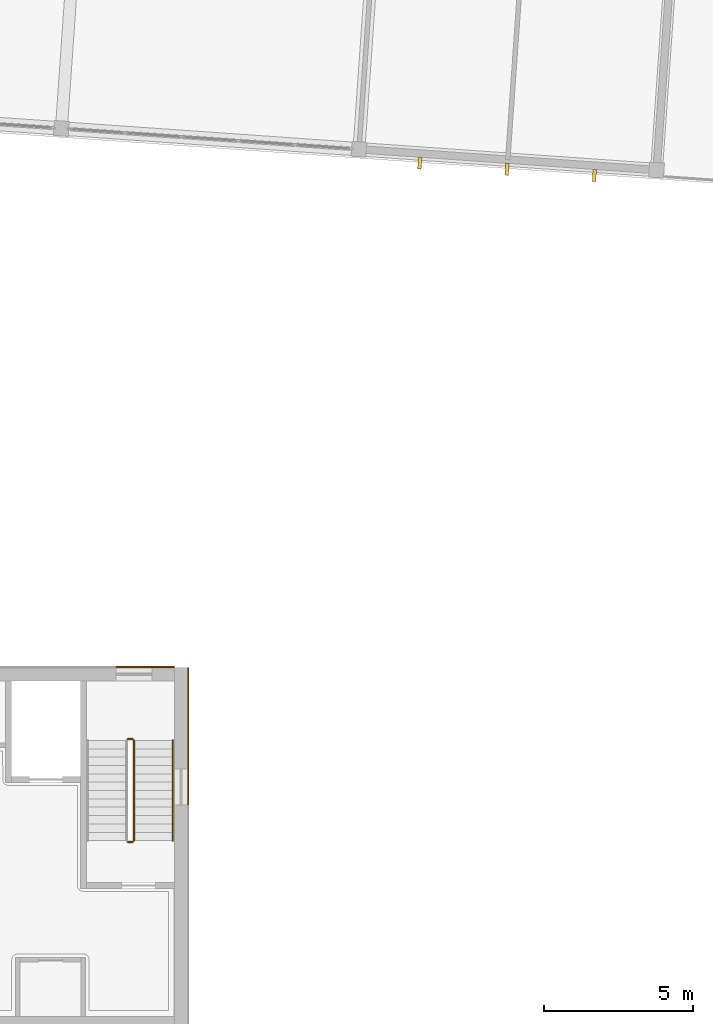
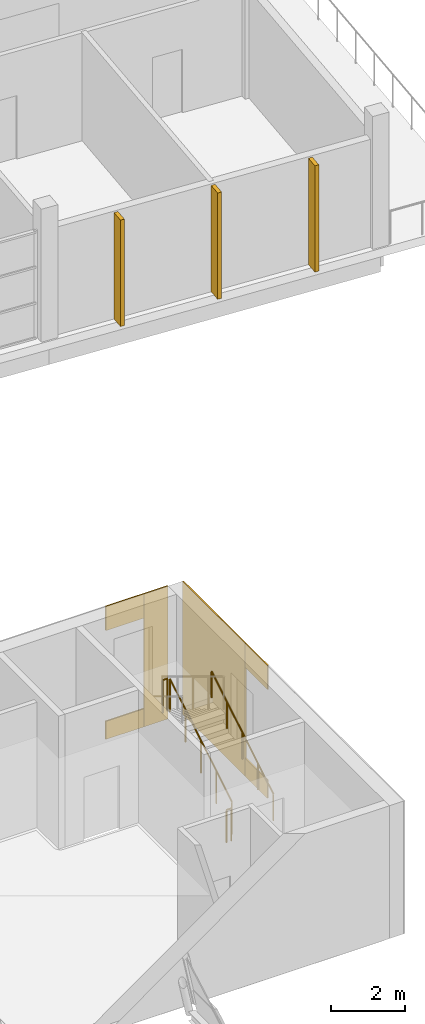
# One storey, part 48 of 50: 6 coverings, 4 railings, 3 shading devices.
"""IFC4 building model written with IfcOpenShell, lengths in metres."""

from ifc_helpers import new_model, si_unit, direction, frame, origin, origin_2d, place, context, subcontext, project, spatial, polyline, circle, outline, extrude, material, layer, layer_set, type_object, element, save


model = new_model("IFC4")

# Units and contexts
model_context = context("Model", 3, precision=1e-05, world=origin(), true_north=direction((0.0, 1.0)))
body_context = subcontext(model_context, "Body", "Model", "MODEL_VIEW")
ifc_project = project(units=[si_unit("LENGTHUNIT", "METRE"), si_unit("AREAUNIT", "SQUARE_METRE"), si_unit("VOLUMEUNIT", "CUBIC_METRE"), si_unit("PLANEANGLEUNIT", "RADIAN"), si_unit("MASSUNIT", "GRAM", prefix="KILO")], contexts=[model_context])

# Site, building, storey
site_placement = place(None, origin())
site = spatial("IfcSite", under=ifc_project, at=site_placement, CompositionType="ELEMENT")
building_placement = place(site_placement, origin())
building = spatial("IfcBuilding", under=site, at=building_placement, Name="Windward Yard Aquatics Centre", CompositionType="ELEMENT")
storey_placement = place(building_placement, frame((0.0, 0.0, 18.199951171875)))
storey = spatial("IfcBuildingStorey", under=building, at=storey_placement, Name="L04", CompositionType="ELEMENT", Elevation=18.199951171875)

# Railings
ifc_material_1 = material(Name="Stainless steel 1.4529", Category="steel")
railing_type_1 = type_object("IfcRailingType", Name="H Guard Steel 1100", PredefinedType="GUARDRAIL", material=ifc_material_1)
railing_1_placement = place(storey_placement, frame((150.199951171875, 90.199951171875, 0.169189453125)))
element("IfcRailing", 1, at=railing_1_placement, inside=storey, type_object=railing_type_1, Name="L04 ST4 stair guard 1", PredefinedType="GUARDRAIL", context=body_context, shape_type="SweptSolid", body=[
    extrude(circle(Radius=0.02392578125, at=origin_2d()), frame((0.0, 0.0, 1.076171875), z_axis=(0.0, 0.855836976705, 0.517245656632), x_axis=(-1.0, 0.0, 0.0)), (0.0, 0.0, 1.0), 3.926025390625),
    extrude(circle(Radius=0.02099609375, at=origin_2d()), origin(), (0.0, 0.0, 1.0), 1.052001953125),
    extrude(circle(Radius=0.02099609375, at=origin_2d()), frame((0.0, 0.840087890625, 0.5078125)), (0.0, 0.0, 1.0), 1.052001953125),
    extrude(circle(Radius=0.02099609375, at=origin_2d()), frame((0.0, 1.68017578125, 1.015380859375)), (0.0, 0.0, 1.0), 1.052001953125),
    extrude(circle(Radius=0.02099609375, at=origin_2d()), frame((0.0, 2.52001953125, 1.52294921875)), (0.0, 0.0, 1.0), 1.052001953125),
    extrude(circle(Radius=0.02099609375, at=origin_2d()), frame((0.0, 3.360107421875, 2.03076171875)), (0.0, 0.0, 1.0), 1.052001953125),
])
for number, where, name in (
    (2, (150.14990234375, 93.610107421875, 2.199951171875), "L04 ST4 stair guard 2"),
    (3, (150.14990234375, 90.14990234375, 0.0), "L04 ST4 stair guard 4"),
):
    element("IfcRailing", number, at=place(storey_placement, frame(where)), inside=storey, type_object=railing_type_1, Name=name, PredefinedType="GUARDRAIL", context=body_context, shape_type="SweptSolid", body=[
        extrude(circle(Radius=0.02392578125, at=origin_2d()), frame((0.0, 0.0, 1.076171875), z_axis=(-1.0, 0.0, 0.0), x_axis=(0.0, -1.0, 0.0)), (0.0, 0.0, 1.0), 0.14990234375),
        extrude(circle(Radius=0.02099609375, at=origin_2d()), origin(), (0.0, 0.0, 1.0), 1.052001953125),
        extrude(circle(Radius=0.02099609375, at=origin_2d()), frame((-0.14990234375, 0.0, 0.0)), (0.0, 0.0, 1.0), 1.052001953125),
    ])
railing_type_2 = type_object("IfcRailingType", Name="H Handrail Steel 900", PredefinedType="HANDRAIL", material=ifc_material_1)
railing_2_placement = place(storey_placement, frame((151.5, 90.199951171875, 0.169189453125)))
element("IfcRailing", 4, at=railing_2_placement, inside=storey, type_object=railing_type_2, Name="L04 ST4 stair handrail 1", PredefinedType="HANDRAIL", context=body_context, shape_type="SweptSolid", body=[
    extrude(circle(Radius=0.02392578125, at=origin_2d()), frame((0.0, 0.0, 0.8759765625), z_axis=(0.0, 0.855836976705, 0.517245656632), x_axis=(-1.0, 0.0, 0.0)), (0.0, 0.0, 1.0), 3.926025390625),
    extrude(circle(Radius=0.02099609375, at=origin_2d()), origin(), (0.0, 0.0, 1.0), 0.851806640625),
    extrude(circle(Radius=0.02099609375, at=origin_2d()), frame((0.0, 0.840087890625, 0.5078125)), (0.0, 0.0, 1.0), 0.851806640625),
    extrude(circle(Radius=0.02099609375, at=origin_2d()), frame((0.0, 1.68017578125, 1.015380859375)), (0.0, 0.0, 1.0), 0.851806640625),
    extrude(circle(Radius=0.02099609375, at=origin_2d()), frame((0.0, 2.52001953125, 1.52294921875)), (0.0, 0.0, 1.0), 0.851806640625),
    extrude(circle(Radius=0.02099609375, at=origin_2d()), frame((0.0, 3.360107421875, 2.03076171875)), (0.0, 0.0, 1.0), 0.851806640625),
])

# Coverings
ifc_material_2 = material(Name="Natural limestone cladding", Category="masonry")
ifc_layer = layer(ifc_material_2, 0.0400390625)
ifc_layer_set = layer_set([ifc_layer], Name="H natural stone cladding 40")
covering_type = type_object("IfcCoveringType", Name="H natural stone cladding 40", PredefinedType="CLADDING", material=ifc_layer_set)
covering_1_placement = place(storey_placement, origin())
element("IfcCovering", 5, at=covering_1_placement, inside=storey, type_object=covering_type, Name="Stone cladding panel 30", PredefinedType="CLADDING", context=body_context, shape_type="SweptSolid", body=[
    extrude(outline(polyline([(152.0, 92.60009765625), (152.0400390625, 92.60009765625), (152.0400390625, 96.0), (152.0, 96.0), (152.0, 92.60009765625)])), origin(), (0.0, 0.0, 1.0), 4.400146484375),
])
covering_2_placement = place(storey_placement, origin())
element("IfcCovering", 6, at=covering_2_placement, inside=storey, type_object=covering_type, Name="Stone cladding panel 31", PredefinedType="CLADDING", context=body_context, shape_type="SweptSolid", body=[
    extrude(outline(polyline([(152.0, 91.39990234375), (152.0400390625, 91.39990234375), (152.0400390625, 92.60009765625), (152.0, 92.60009765625), (152.0, 91.39990234375)])), origin(), (0.0, 0.0, 1.0), 0.60009765625),
])
covering_3_placement = place(storey_placement, frame((0.0, 0.0, 3.60009765625)))
element("IfcCovering", 7, at=covering_3_placement, inside=storey, type_object=covering_type, Name="Stone cladding panel 32", PredefinedType="CLADDING", context=body_context, shape_type="SweptSolid", body=[
    extrude(outline(polyline([(152.0, 91.39990234375), (152.0400390625, 91.39990234375), (152.0400390625, 92.60009765625), (152.0, 92.60009765625), (152.0, 91.39990234375)])), origin(), (0.0, 0.0, 1.0), 0.800048828125),
])
covering_4_placement = place(storey_placement, origin())
element("IfcCovering", 8, at=covering_4_placement, inside=storey, type_object=covering_type, Name="Stone cladding panel 54", PredefinedType="CLADDING", context=body_context, shape_type="SweptSolid", body=[
    extrude(outline(polyline([(150.800048828125, 96.0), (150.800048828125, 96.0400390625), (151.550048828125, 96.0400390625), (151.550048828125, 96.0), (150.800048828125, 96.0)])), origin(), (0.0, 0.0, 1.0), 4.400146484375),
])
covering_5_placement = place(storey_placement, origin())
element("IfcCovering", 9, at=covering_5_placement, inside=storey, type_object=covering_type, Name="Stone cladding panel 55", PredefinedType="CLADDING", context=body_context, shape_type="SweptSolid", body=[
    extrude(outline(polyline([(149.60009765625, 96.0), (149.60009765625, 96.0400390625), (150.800048828125, 96.0400390625), (150.800048828125, 96.0), (149.60009765625, 96.0)])), origin(), (0.0, 0.0, 1.0), 0.60009765625),
])
covering_6_placement = place(storey_placement, frame((0.0, 0.0, 3.60009765625)))
element("IfcCovering", 10, at=covering_6_placement, inside=storey, type_object=covering_type, Name="Stone cladding panel 56", PredefinedType="CLADDING", context=body_context, shape_type="SweptSolid", body=[
    extrude(outline(polyline([(149.60009765625, 96.0), (149.60009765625, 96.0400390625), (150.800048828125, 96.0400390625), (150.800048828125, 96.0), (149.60009765625, 96.0)])), origin(), (0.0, 0.0, 1.0), 0.800048828125),
])

# Shading devices
ifc_material_3 = material(Name="Timber-look aluminium batten, powder coated", Category="wood")
shading_device_type = type_object("IfcShadingDeviceType", Name="W vertical fin 120x400", PredefinedType="USERDEFINED", material=ifc_material_3)
shading_device_1_placement = place(storey_placement, origin())
element("IfcShadingDevice", 11, at=shading_device_1_placement, inside=storey, type_object=shading_device_type, Name="Vertical fin W.FW.L04.S.86.8.1.1", ObjectType="FIN", PredefinedType="USERDEFINED", context=body_context, shape_type="SweptSolid", body=[
    extrude(outline(polyline([(159.70654296875, 112.71337890625), (159.734619140625, 113.112548828125), (159.854248046875, 113.104248046875), (159.826416015625, 112.705078125), (159.70654296875, 112.71337890625)])), origin(), (0.0, 0.0, 1.0), 3.52001953125),
])
shading_device_2_placement = place(storey_placement, origin())
element("IfcShadingDevice", 12, at=shading_device_2_placement, inside=storey, type_object=shading_device_type, Name="Vertical fin W.FW.L04.S.86.8.1.2", ObjectType="FIN", PredefinedType="USERDEFINED", context=body_context, shape_type="SweptSolid", body=[
    extrude(outline(polyline([(162.6328125, 112.5087890625), (162.66064453125, 112.907958984375), (162.780517578125, 112.899658203125), (162.75244140625, 112.50048828125), (162.6328125, 112.5087890625)])), origin(), (0.0, 0.0, 1.0), 3.52001953125),
])
shading_device_3_placement = place(storey_placement, origin())
element("IfcShadingDevice", 13, at=shading_device_3_placement, inside=storey, type_object=shading_device_type, Name="Vertical fin W.FW.L04.S.86.8.1.3", ObjectType="FIN", PredefinedType="USERDEFINED", context=body_context, shape_type="SweptSolid", body=[
    extrude(outline(polyline([(165.55908203125, 112.30419921875), (165.5869140625, 112.703369140625), (165.70654296875, 112.69482421875), (165.6787109375, 112.2958984375), (165.55908203125, 112.30419921875)])), origin(), (0.0, 0.0, 1.0), 3.52001953125),
])

save(model, "model.ifc")
